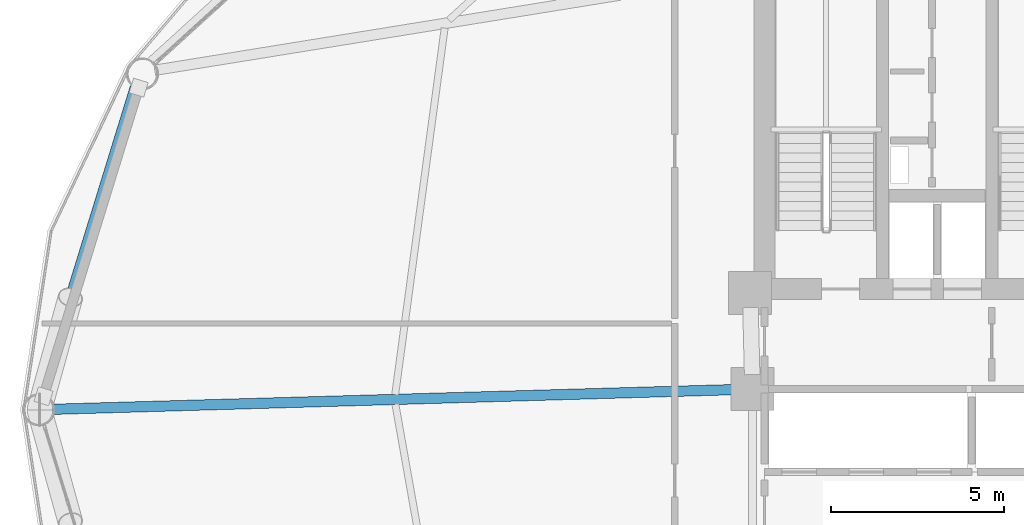
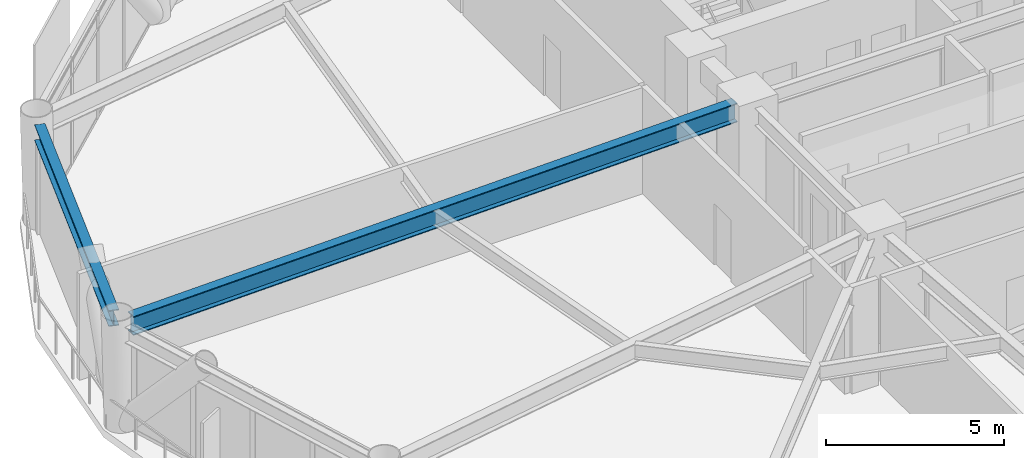
# One storey, part 9 of 25: 2 beams.
"""IFC4 building model written with IfcOpenShell, lengths in metres."""

from ifc_helpers import new_model, si_unit, direction, frame, origin, origin_2d, place, context, subcontext, project, spatial, i_section, extrude, material, material_profile, profile_set, type_object, element, save


model = new_model("IFC4")

# Units and contexts
model_context = context("Model", 3, precision=1e-05, world=origin(), true_north=direction((0.0, 1.0)))
body_context = subcontext(model_context, "Body", "Model", "MODEL_VIEW")
ifc_project = project(units=[si_unit("LENGTHUNIT", "METRE"), si_unit("AREAUNIT", "SQUARE_METRE"), si_unit("VOLUMEUNIT", "CUBIC_METRE"), si_unit("PLANEANGLEUNIT", "RADIAN"), si_unit("MASSUNIT", "GRAM", prefix="KILO")], contexts=[model_context])

# Site, building, storey
site_placement = place(None, origin())
site = spatial("IfcSite", under=ifc_project, at=site_placement, CompositionType="ELEMENT")
building_placement = place(site_placement, origin())
building = spatial("IfcBuilding", under=site, at=building_placement, Name="Varnakorn Sky Granary", CompositionType="ELEMENT")
storey_placement = place(building_placement, frame((0.0, 0.0, 62.699951171875)))
storey = spatial("IfcBuildingStorey", under=building, at=storey_placement, Name="L15", CompositionType="ELEMENT", Elevation=62.699951171875)

# Beams
ifc_material = material(Name="Steel S355JR", Category="steel")
ifc_material_profile_1 = material_profile(ifc_material, i_section(OverallWidth=0.300048828125, OverallDepth=0.64990234375, WebThickness=0.01611328125, FlangeThickness=0.031005859375, at=origin_2d()), Name="HE 650 B")
ifc_profile_set_1 = profile_set([ifc_material_profile_1], Name="Steel S355JR")
beam_type_1 = type_object("IfcBeamType", Name="BM-RAD-Z1", PredefinedType="BEAM", material=ifc_profile_set_1)
beam_1_placement = place(storey_placement, frame((-2.769775390625, 0.587890625, 3.31494140625), z_axis=(-0.999582426175, -0.028895904246, 0.0), x_axis=(0.028895904246, -0.999582426175, 0.0)))
element("IfcBeam", 1, at=beam_1_placement, inside=storey, type_object=beam_type_1, Name="Radial Floor Girder RG07 L15", PredefinedType="BEAM", context=body_context, shape_type="SweptSolid", body=[
    extrude(i_section(OverallWidth=0.300048828125, OverallDepth=0.64990234375, WebThickness=0.01611328125, FlangeThickness=0.031005859375, at=origin_2d()), origin(), (0.0, 0.0, 1.0), 19.90576171875),
])
ifc_material_profile_2 = material_profile(ifc_material, i_section(OverallWidth=0.300048828125, OverallDepth=0.550048828125, WebThickness=0.014892578125, FlangeThickness=0.029052734375, at=origin_2d()), Name="HE 550 B")
ifc_profile_set_2 = profile_set([ifc_material_profile_2], Name="Steel S355JR")
beam_type_2 = type_object("IfcBeamType", Name="BM-SPD-Z1", PredefinedType="SPANDREL", material=ifc_profile_set_2)
beam_2_placement = place(storey_placement, frame((-20.227294921875, 9.341064453125, 3.364990234375), z_axis=(-0.294795272919, -0.955560436113, 0.0), x_axis=(0.955560436113, -0.294795272919, 0.0)))
element("IfcBeam", 2, at=beam_2_placement, inside=storey, type_object=beam_type_2, Name="Perimeter Spandrel Ring Beam RB06 L15", PredefinedType="SPANDREL", context=body_context, shape_type="SweptSolid", body=[
    extrude(i_section(OverallWidth=0.300048828125, OverallDepth=0.550048828125, WebThickness=0.014892578125, FlangeThickness=0.029052734375, at=origin_2d()), origin(), (0.0, 0.0, 1.0), 9.33349609375),
])

save(model, "model.ifc")
